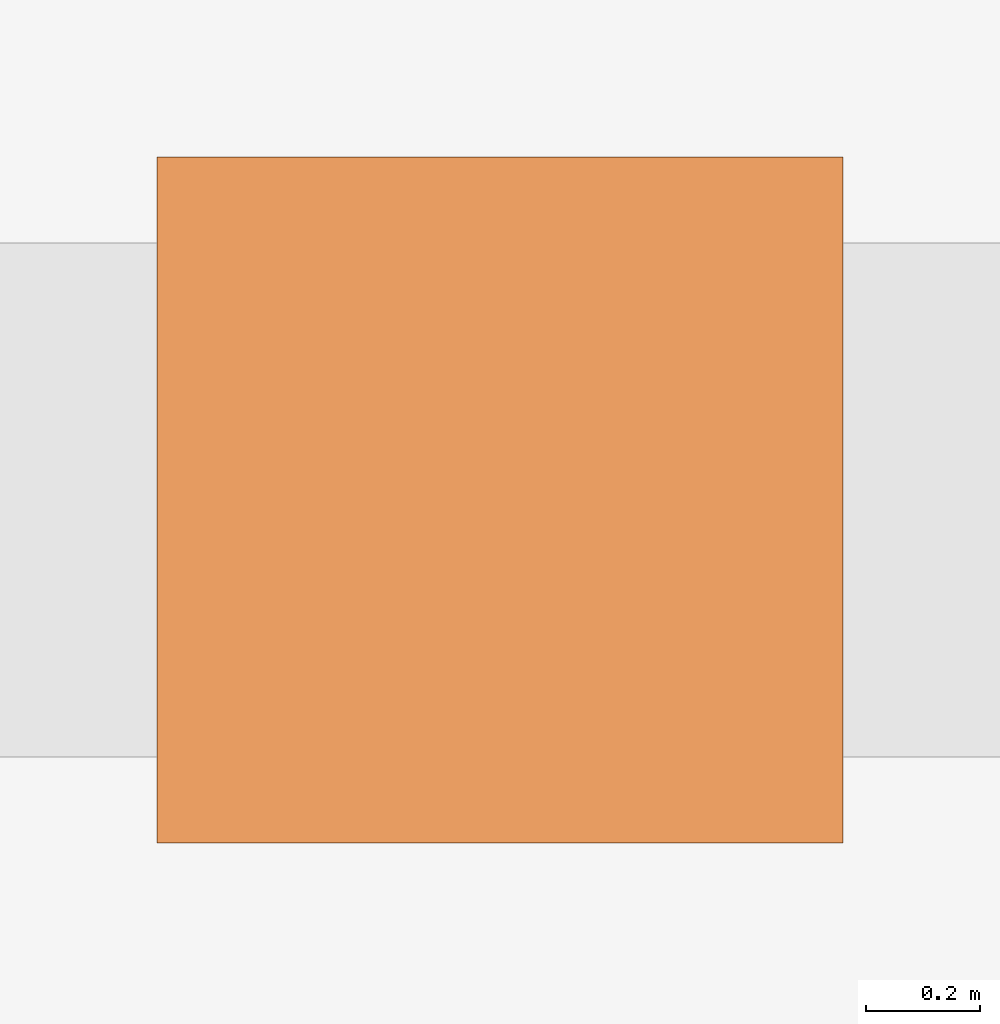
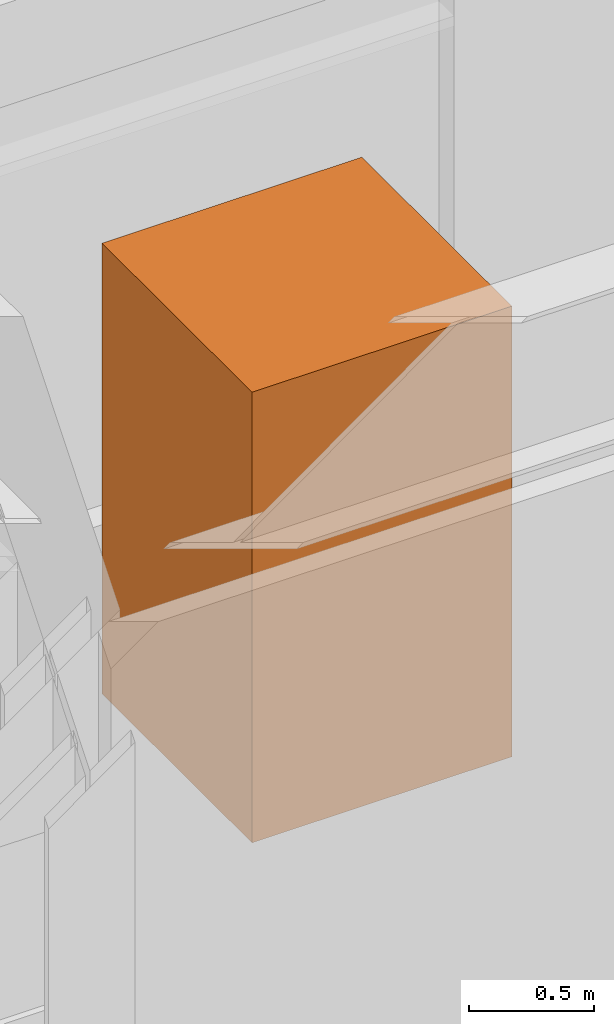
# One storey, part 10 of 10: 1 geographic element.
"""IFC4 building model written with IfcOpenShell, lengths in metres."""

from ifc_helpers import new_model, si_unit, direction, frame, origin, origin_2d, place, context, subcontext, project, spatial, rectangle, extrude, material, type_object, element, save


model = new_model("IFC4")

# Units and contexts
model_context = context("Model", 3, precision=1e-05, world=origin(), true_north=direction((0.0, 1.0)))
body_context = subcontext(model_context, "Body", "Model", "MODEL_VIEW")
ifc_project = project(units=[si_unit("LENGTHUNIT", "METRE"), si_unit("AREAUNIT", "SQUARE_METRE"), si_unit("VOLUMEUNIT", "CUBIC_METRE"), si_unit("PLANEANGLEUNIT", "RADIAN"), si_unit("MASSUNIT", "GRAM", prefix="KILO")], contexts=[model_context])

# Site, building, storey
site_placement = place(None, origin())
site = spatial("IfcSite", under=ifc_project, at=site_placement, CompositionType="ELEMENT")
building_placement = place(site_placement, origin())
building = spatial("IfcBuilding", under=site, at=building_placement, Name="Immortelle Media Tower", CompositionType="ELEMENT")
storey_placement = place(building_placement, frame((0.0, 0.0, 295.0)))
storey = spatial("IfcBuildingStorey", under=building, at=storey_placement, Name="L65", CompositionType="ELEMENT", Elevation=295.0)

# Geographic element
ifc_material = material(Name="Tree canopy foliage")
geographic_element_type = type_object("IfcGeographicElementType", Name="Tree", PredefinedType="USERDEFINED", material=ifc_material)
geographic_element_placement = place(storey_placement, frame((26.0, 1.550048828125, 0.60009765625), z_axis=(0.0, 0.0, 1.0), x_axis=(1.0, 0.0, 0.0)))
element("IfcGeographicElement", 1, at=geographic_element_placement, inside=storey, type_object=geographic_element_type, Name="Tree L65 S2", ObjectType="Tree", PredefinedType="USERDEFINED", context=body_context, shape_type="SweptSolid", body=[
    extrude(rectangle(XDim=1.199951171875, YDim=1.199951171875, at=origin_2d()), origin(), (0.0, 0.0, 1.0), 2.199951171875),
])

save(model, "model.ifc")
